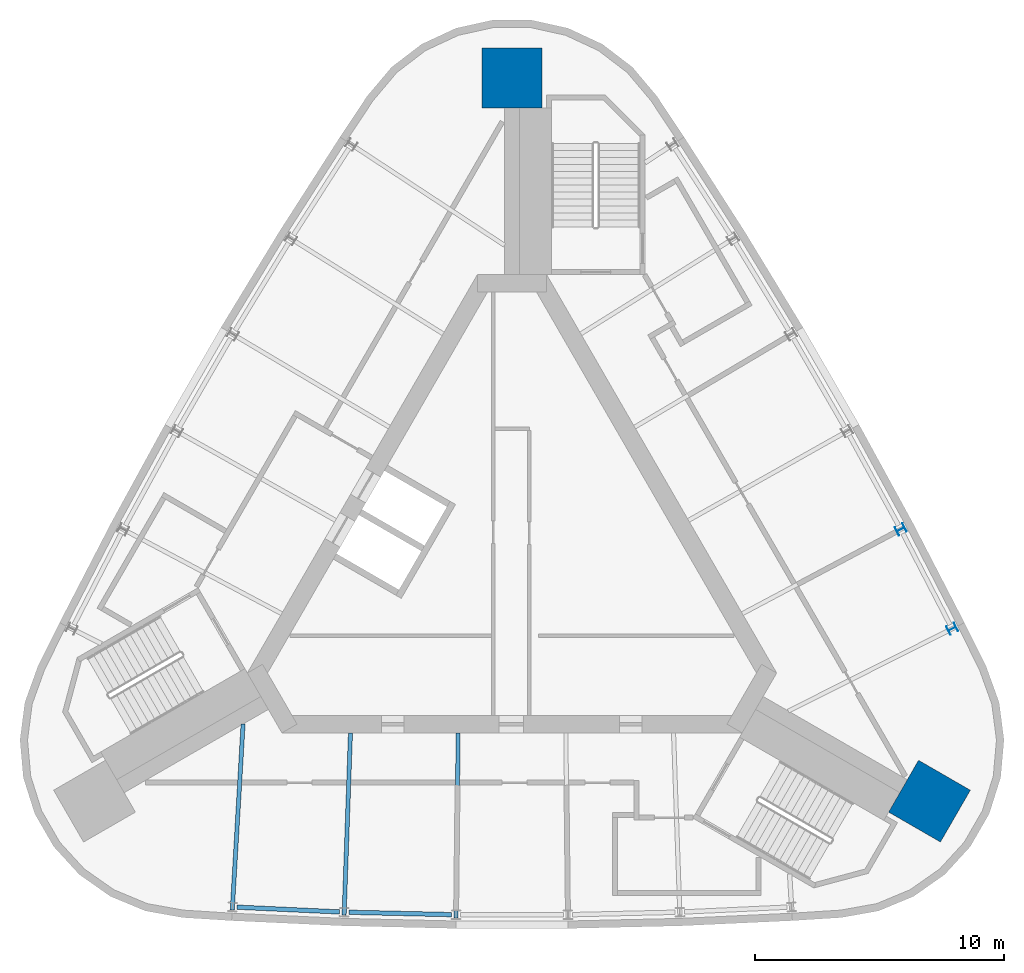
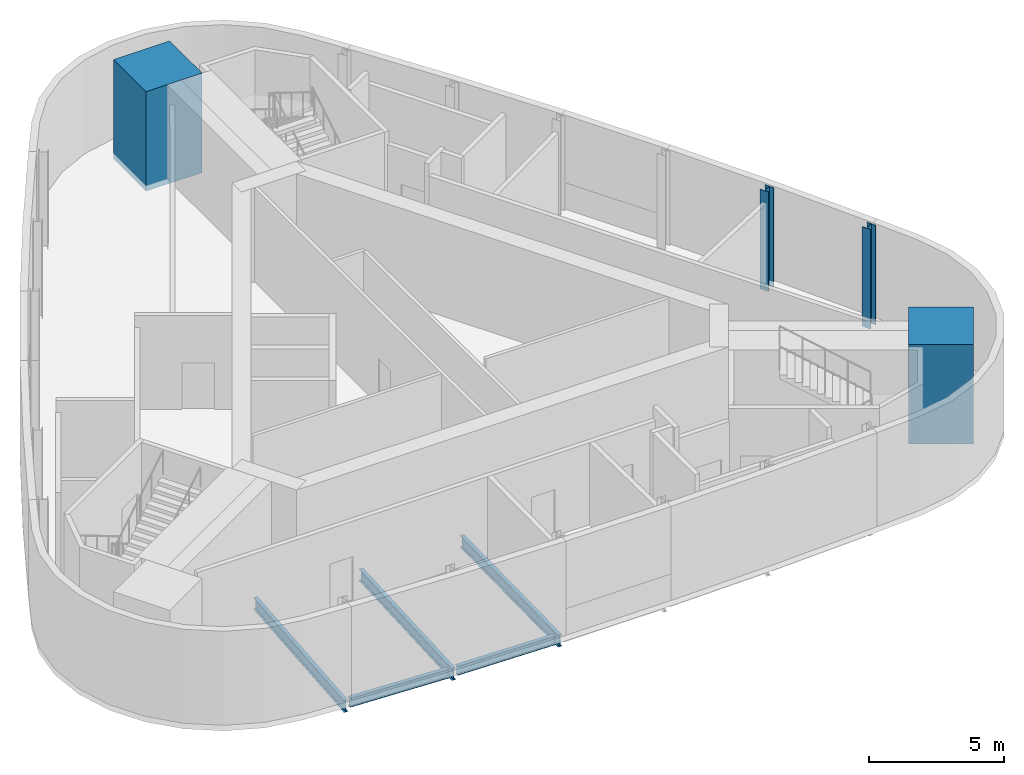
# One storey, part 2 of 7: 5 beams, 4 columns.
"""IFC4 building model written with IfcOpenShell, lengths in metres."""

from ifc_helpers import new_model, si_unit, direction, frame, origin, origin_2d, place, context, subcontext, project, spatial, rectangle, i_section, extrude, material, material_profile, profile_set, type_object, element, save


model = new_model("IFC4")

# Units and contexts
model_context = context("Model", 3, precision=1e-05, world=origin(), true_north=direction((0.0, 1.0)))
body_context = subcontext(model_context, "Body", "Model", "MODEL_VIEW")
ifc_project = project(units=[si_unit("LENGTHUNIT", "METRE"), si_unit("AREAUNIT", "SQUARE_METRE"), si_unit("VOLUMEUNIT", "CUBIC_METRE"), si_unit("PLANEANGLEUNIT", "RADIAN"), si_unit("MASSUNIT", "GRAM", prefix="KILO")], contexts=[model_context])

# Site, building, storey
site_placement = place(None, origin())
site = spatial("IfcSite", under=ifc_project, at=site_placement, CompositionType="ELEMENT")
building_placement = place(site_placement, origin())
building = spatial("IfcBuilding", under=site, at=building_placement, Name="Noor Cloister Tower", CompositionType="ELEMENT")
storey_placement = place(building_placement, frame((0.0, 0.0, 293.10009765625)))
storey = spatial("IfcBuildingStorey", under=building, at=storey_placement, Name="L74", CompositionType="ELEMENT", Elevation=293.10009765625)

# Columns
ifc_material_1 = material(Name="Steel ASTM A992 Gr 50", Category="steel")
ifc_material_profile_1 = material_profile(ifc_material_1, i_section(OverallWidth=0.367919921875, OverallDepth=0.35595703125, WebThickness=0.01123046875, FlangeThickness=0.01806640625, FilletRadius=0.015380859375, at=origin_2d()), Name="W360x134")
ifc_profile_set_1 = profile_set([ifc_material_profile_1], Name="Steel ASTM A992 Gr 50")
column_type_1 = type_object("IfcColumnType", Name="Column W360x134", PredefinedType="COLUMN", material=ifc_profile_set_1)
for number, where, z_axis, x_axis, name in (
    (1, (17.653564453125, -2.75390625, -0.25), (0.0, 0.0, 1.0), (-0.448974965035, 0.893544336209, 0.0), "Column NE 01 L74"),
    (2, (15.592529296875, 1.231689453125, -0.25), (0.0, 0.0, 1.0), (-0.469575774469, 0.882892174635, 0.0), "Column NE 02 L74"),
):
    element("IfcColumn", number, at=place(storey_placement, frame(where, z_axis=z_axis, x_axis=x_axis)), inside=storey, type_object=column_type_1, Name=name, PredefinedType="COLUMN", context=body_context, shape_type="SweptSolid", body=[
        extrude(i_section(OverallWidth=0.367919921875, OverallDepth=0.35595703125, WebThickness=0.01123046875, FlangeThickness=0.01806640625, FilletRadius=0.015380859375, at=origin_2d()), origin(), (0.0, 0.0, 1.0), 4.5),
    ])
ifc_material_2 = material(Name="Concrete C50/60", Category="concrete")
ifc_material_profile_2 = material_profile(ifc_material_2, rectangle(XDim=2.39990234375, YDim=2.39990234375, at=origin_2d()), Name="RC 2400x2400")
ifc_profile_set_2 = profile_set([ifc_material_profile_2], Name="Concrete C50/60")
column_type_2 = type_object("IfcColumnType", Name="Corner pier 2400 x 2400 C50/60", PredefinedType="COLUMN", material=ifc_profile_set_2)
for number, where, z_axis, x_axis, name in (
    (3, (0.0, 19.3349609375, -0.25), (0.0, 0.0, 1.0), (0.0, 1.0, 0.0), "Corner pier N L74"),
    (4, (16.74462890625, -9.66748046875, -0.25), (0.0, 0.0, 1.0), (0.866025403784, -0.5, 0.0), "Corner pier SE L74"),
):
    element("IfcColumn", number, at=place(storey_placement, frame(where, z_axis=z_axis, x_axis=x_axis)), inside=storey, type_object=column_type_2, Name=name, PredefinedType="COLUMN", context=body_context, shape_type="SweptSolid", body=[
        extrude(rectangle(XDim=2.39990234375, YDim=2.39990234375, at=origin_2d()), origin(), (0.0, 0.0, 1.0), 4.5),
    ])

# Beams
ifc_material_3 = material(Name="Steel ASTM A992 Gr 50", Category="steel")
ifc_material_profile_3 = material_profile(ifc_material_3, i_section(OverallWidth=0.166015625, OverallDepth=0.528076171875, WebThickness=0.009765625, FlangeThickness=0.013671875, FilletRadius=0.0126953125, at=origin_2d()), Name="W530x74")
ifc_profile_set_3 = profile_set([ifc_material_profile_3], Name="Steel ASTM A992 Gr 50")
beam_type_1 = type_object("IfcBeamType", Name="Radial beam W530x74", PredefinedType="BEAM", material=ifc_profile_set_3)
beam_1_placement = place(storey_placement, frame((-11.218994140625, -14.033203125, -0.51416015625), z_axis=(0.057963519573, 0.998318701818, 0.0), x_axis=(-0.998318701818, 0.057963519573, 0.0)))
element("IfcBeam", 5, at=beam_1_placement, inside=storey, type_object=beam_type_1, Name="Radial beam S 01 L74", PredefinedType="BEAM", context=body_context, shape_type="SweptSolid", body=[
    extrude(i_section(OverallWidth=0.166015625, OverallDepth=0.528076171875, WebThickness=0.009765625, FlangeThickness=0.013671875, FilletRadius=0.0126953125, at=origin_2d()), origin(), (0.0, 0.0, 1.0), 7.471923828125),
])
beam_2_placement = place(storey_placement, frame((-6.733642578125, -14.241455078125, -0.51416015625), z_axis=(0.034764484893, 0.999395532605, 0.0), x_axis=(-0.999395532605, 0.034764484893, 0.0)))
element("IfcBeam", 6, at=beam_2_placement, inside=storey, type_object=beam_type_1, Name="Radial beam S 02 L74", PredefinedType="BEAM", context=body_context, shape_type="SweptSolid", body=[
    extrude(i_section(OverallWidth=0.166015625, OverallDepth=0.528076171875, WebThickness=0.009765625, FlangeThickness=0.013671875, FilletRadius=0.0126953125, at=origin_2d()), origin(), (0.0, 0.0, 1.0), 7.317626953125),
])
beam_3_placement = place(storey_placement, frame((-2.244873046875, -14.345458984375, -0.51416015625), z_axis=(0.011585411151, 0.999932886872, 0.0), x_axis=(-0.999932886872, 0.011585411151, 0.0)))
element("IfcBeam", 7, at=beam_3_placement, inside=storey, type_object=beam_type_1, Name="Radial beam S 03 L74", PredefinedType="BEAM", context=body_context, shape_type="SweptSolid", body=[
    extrude(i_section(OverallWidth=0.166015625, OverallDepth=0.528076171875, WebThickness=0.009765625, FlangeThickness=0.013671875, FilletRadius=0.0126953125, at=origin_2d()), origin(), (0.0, 0.0, 1.0), 7.417724609375),
])
ifc_material_4 = material(Name="Steel ASTM A992 Gr 50", Category="steel")
ifc_material_profile_4 = material_profile(ifc_material_4, i_section(OverallWidth=0.177978515625, OverallDepth=0.406005859375, WebThickness=0.0078125, FlangeThickness=0.0126953125, FilletRadius=0.01025390625, at=origin_2d()), Name="W410x60")
ifc_profile_set_4 = profile_set([ifc_material_profile_4], Name="Steel ASTM A992 Gr 50")
beam_type_2 = type_object("IfcBeamType", Name="Spandrel beam W410x60", PredefinedType="SPANDREL", material=ifc_profile_set_4)
beam_4_placement = place(storey_placement, frame((-11.028076171875, -13.919921875, -0.453125), z_axis=(0.998925325351, -0.046348617801, 0.0), x_axis=(0.046348617801, 0.998925325351, 0.0)))
element("IfcBeam", 8, at=beam_4_placement, inside=storey, type_object=beam_type_2, Name="Spandrel beam S 01 L74", PredefinedType="SPANDREL", context=body_context, shape_type="SweptSolid", body=[
    extrude(i_section(OverallWidth=0.177978515625, OverallDepth=0.406005859375, WebThickness=0.0078125, FlangeThickness=0.0126953125, FilletRadius=0.01025390625, at=origin_2d()), origin(), (0.0, 0.0, 1.0), 4.119140625),
])
beam_5_placement = place(storey_placement, frame((-6.545654296875, -14.123779296875, -0.453125), z_axis=(0.999731452345, -0.023173760841, 0.0), x_axis=(0.023173760841, 0.999731452345, 0.0)))
element("IfcBeam", 9, at=beam_5_placement, inside=storey, type_object=beam_type_2, Name="Spandrel beam S 02 L74", PredefinedType="SPANDREL", context=body_context, shape_type="SweptSolid", body=[
    extrude(i_section(OverallWidth=0.177978515625, OverallDepth=0.406005859375, WebThickness=0.0078125, FlangeThickness=0.0126953125, FilletRadius=0.01025390625, at=origin_2d()), origin(), (0.0, 0.0, 1.0), 4.119384765625),
])

save(model, "model.ifc")
